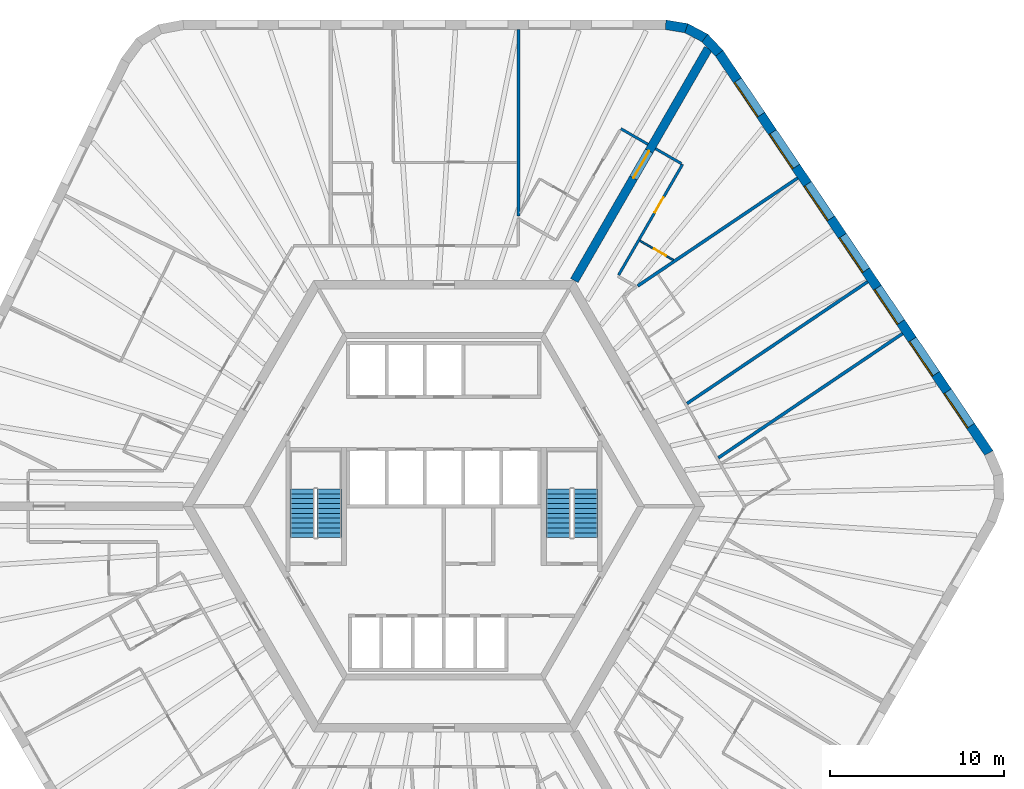
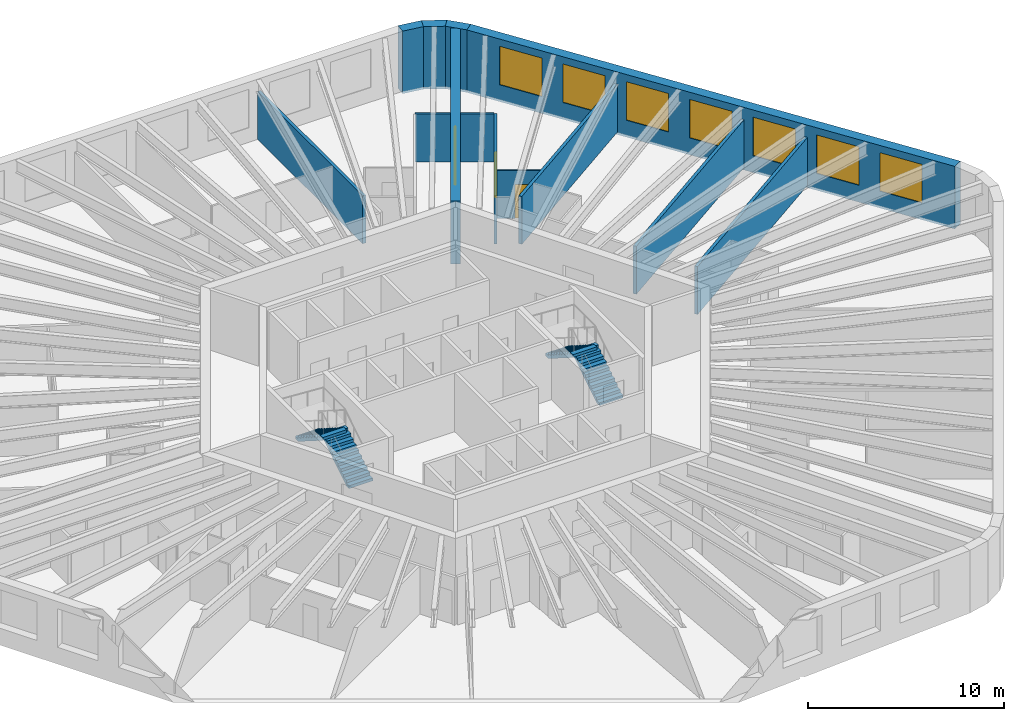
# One storey, part 9 of 10: 13 walls, 7 windows, 4 stair flights, 3 doors, 10 openings, 2 elements without a shape of their own.
"""IFC4 building model written with IfcOpenShell, lengths in metres."""

from ifc_helpers import new_model, si_unit, direction, frame, frame_2d, origin, place, context, subcontext, project, spatial, polyline, rectangle, outline, extrude, material, layer, layer_set, type_object, element, fill, aggregate, save


model = new_model("IFC4")

# Units and contexts
model_context = context("Model", 3, precision=1e-05, world=origin(), true_north=direction((0.0, 1.0)))
body_context = subcontext(model_context, "Body", "Model", "MODEL_VIEW")
ifc_project = project(units=[si_unit("LENGTHUNIT", "METRE"), si_unit("AREAUNIT", "SQUARE_METRE"), si_unit("VOLUMEUNIT", "CUBIC_METRE"), si_unit("PLANEANGLEUNIT", "RADIAN"), si_unit("MASSUNIT", "GRAM", prefix="KILO")], contexts=[model_context])

# Site, building, storey
site_placement = place(None, origin())
site = spatial("IfcSite", under=ifc_project, at=site_placement, CompositionType="ELEMENT")
building_placement = place(site_placement, origin())
building = spatial("IfcBuilding", under=site, at=building_placement, Name="Tarnside Tower", CompositionType="ELEMENT")
storey_placement = place(building_placement, frame((0.0, 0.0, 199.5)))
storey = spatial("IfcBuildingStorey", under=building, at=storey_placement, Name="L47", CompositionType="ELEMENT", Elevation=199.5)

# Wall, opening, door
ifc_material_1 = material(Name="Gypsum board partition on steel studs", Category="steel")
ifc_layer_1 = layer(ifc_material_1, 0.10009765625)
ifc_layer_set_1 = layer_set([ifc_layer_1], Name="Bathroom wall 100")
wall_type_1 = type_object("IfcWallType", Name="Bathroom wall 100", PredefinedType="PARTITIONING", material=ifc_layer_set_1)
wall_1_placement = place(storey_placement, frame((11.28369140625, 15.294189453125, 0.0), z_axis=(0.0, 0.0, 1.0), x_axis=(0.866017295027, -0.500014044516, 0.0)))
wall_1 = element("IfcWall", 1, at=wall_1_placement, inside=storey, type_object=wall_type_1, Name="Bathroom wall 15113", PredefinedType="PARTITIONING", context=body_context, shape_type="SweptSolid", body=[
    extrude(rectangle(XDim=2.22265625, YDim=0.10009765625, at=frame_2d((1.111328125, 0.0))), origin(), (0.0, 0.0, 1.0), 2.98779296875),
])
opening_1_placement = place(wall_1_placement, frame((0.925048828125, 0.0, 0.0)))
opening_1 = element("IfcOpeningElement", 2, at=opening_1_placement, cuts=wall_1, Name="Opening D-B1", PredefinedType="OPENING", context=body_context, shape_type="SweptSolid", body=[
    extrude(rectangle(XDim=0.800048828125, YDim=2.10009765625, at=frame_2d((0.39990234375, 1.050048828125))), frame((0.0, 0.06005859375, 0.0), z_axis=(0.0, -1.0, 0.0), x_axis=(1.0, 0.0, 0.0)), (0.0, 0.0, 1.0), 0.1201171875),
])
ifc_material_2 = material(Name="Timber door leaf", Category="wood")
door_type_1 = type_object("IfcDoorType", Name="Bathroom door 800", OperationType="NOTDEFINED", PredefinedType="DOOR", material=ifc_material_2)
door_1_placement = place(opening_1_placement, origin())
door_1 = element("IfcDoor", 3, at=door_1_placement, inside=storey, type_object=door_type_1, Name="Bathroom door 15036", OperationType="SINGLE_SWING_LEFT", OverallHeight=2.10009765625, OverallWidth=0.800048828125, PredefinedType="DOOR", context=body_context, shape_type="SweptSolid", body=[
    extrude(rectangle(XDim=0.800048828125, YDim=2.10009765625, at=frame_2d((0.39990234375, 1.050048828125))), frame((0.0, 0.02490234375, 0.0), z_axis=(0.0, -1.0, 0.0), x_axis=(1.0, 0.0, 0.0)), (0.0, 0.0, 1.0), 0.050048828125),
])
fill(opening_1, door_1)

ifc_material_3 = material(Name="Concrete C70/85", Category="concrete")
ifc_layer_2 = layer(ifc_material_3, 0.5)
ifc_layer_set_2 = layer_set([ifc_layer_2], Name="Core wall Z2 500 C70/85")
wall_type_2 = type_object("IfcWallType", Name="Core wall Z2 500 C70/85", PredefinedType="SHEAR", material=ifc_layer_set_2)
wall_2_placement = place(storey_placement, frame((7.505615234375, 13.0, -0.14990234375), z_axis=(0.0, 0.0, 1.0), x_axis=(0.499988271576, 0.866032175087, 0.0)))
wall_2 = element("IfcWall", 4, at=wall_2_placement, inside=storey, type_object=wall_type_2, Name="L47 spine wall 1", PredefinedType="SHEAR", context=body_context, shape_type="SweptSolid", body=[
    extrude(rectangle(XDim=15.423583984375, YDim=0.5, at=frame_2d((7.7119140625, 0.0))), origin(), (0.0, 0.0, 1.0), 3.89990234375),
])
opening_2_placement = place(wall_2_placement, frame((6.811767578125, 0.0, 0.14990234375)))
opening_2 = element("IfcOpeningElement", 5, at=opening_2_placement, cuts=wall_2, Name="Opening CD-SPN", PredefinedType="OPENING", context=body_context, shape_type="SweptSolid", body=[
    extrude(rectangle(XDim=1.800048828125, YDim=2.39990234375, at=frame_2d((0.89990234375, 1.199951171875))), frame((0.0, 0.260009765625, 0.0), z_axis=(0.0, -1.0, 0.0), x_axis=(1.0, 0.0, 0.0)), (0.0, 0.0, 1.0), 0.52001953125),
])
ifc_material_4 = material(Name="Steel fire door", Category="steel")
door_type_2 = type_object("IfcDoorType", Name="Spine passage double door FD60 1800x2400", OperationType="NOTDEFINED", PredefinedType="DOOR", material=ifc_material_4)
door_2_placement = place(opening_2_placement, origin())
door_2 = element("IfcDoor", 6, at=door_2_placement, inside=storey, type_object=door_type_2, Name="L47 spine passage door 1", OperationType="DOUBLE_DOOR_SINGLE_SWING", OverallHeight=2.39990234375, OverallWidth=1.800048828125, PredefinedType="DOOR", context=body_context, shape_type="SweptSolid", body=[
    extrude(rectangle(XDim=1.800048828125, YDim=2.39990234375, at=frame_2d((0.89990234375, 1.199951171875))), frame((0.0, 0.02490234375, 0.0), z_axis=(0.0, -1.0, 0.0), x_axis=(1.0, 0.0, 0.0)), (0.0, 0.0, 1.0), 0.050048828125),
])
fill(opening_2, door_2)

# Wall
ifc_layer_3 = layer(ifc_material_1, 0.14990234375)
ifc_layer_set_3 = layer_set([ifc_layer_3], Name="Corridor wall 150 EI 60")
wall_type_3 = type_object("IfcWallType", Name="Corridor wall 150 EI 60", PredefinedType="PARTITIONING", material=ifc_layer_set_3)
wall_3_placement = place(storey_placement, frame((11.744873046875, 20.8427734375, 0.0), z_axis=(0.0, 0.0, 1.0), x_axis=(-0.865989075817, 0.500062916607, 0.0)))
element("IfcWall", 7, at=wall_3_placement, inside=storey, type_object=wall_type_3, Name="Corridor wall 15001", PredefinedType="PARTITIONING", context=body_context, shape_type="SweptSolid", body=[
    extrude(rectangle(XDim=1.800048828125, YDim=0.14990234375, at=frame_2d((0.89990234375, 0.0))), origin(), (0.0, 0.0, 1.0), 2.98779296875),
])

# Wall, opening, door
wall_4_placement = place(storey_placement, frame((10.056396484375, 13.318115234375, 0.0), z_axis=(0.0, 0.0, 1.0), x_axis=(0.499995202058, 0.86602817386, 0.0)))
wall_4 = element("IfcWall", 8, at=wall_4_placement, inside=storey, type_object=wall_type_3, Name="Corridor wall 15046", PredefinedType="PARTITIONING", context=body_context, shape_type="SweptSolid", body=[
    extrude(rectangle(XDim=7.36083984375, YDim=0.14990234375, at=frame_2d((3.680419921875, 0.0))), origin(), (0.0, 0.0, 1.0), 2.98779296875),
])
opening_3_placement = place(wall_4_placement, frame((4.16796875, 0.0, 0.0)))
opening_3 = element("IfcOpeningElement", 9, at=opening_3_placement, cuts=wall_4, Name="Opening D-E1", PredefinedType="OPENING", context=body_context, shape_type="SweptSolid", body=[
    extrude(rectangle(XDim=1.0, YDim=2.10009765625, at=frame_2d((0.5, 1.050048828125))), frame((0.0, 0.0849609375, 0.0), z_axis=(0.0, -1.0, 0.0), x_axis=(1.0, 0.0, 0.0)), (0.0, 0.0, 1.0), 0.169921875),
])
door_type_3 = type_object("IfcDoorType", Name="Unit entrance door 1000 FD30S", OperationType="NOTDEFINED", PredefinedType="DOOR", material=ifc_material_2)
door_3_placement = place(opening_3_placement, origin())
door_3 = element("IfcDoor", 10, at=door_3_placement, inside=storey, type_object=door_type_3, Name="Unit door 15035", OperationType="SINGLE_SWING_RIGHT", OverallHeight=2.10009765625, OverallWidth=1.0, PredefinedType="DOOR", context=body_context, shape_type="SweptSolid", body=[
    extrude(rectangle(XDim=1.0, YDim=2.10009765625, at=frame_2d((0.5, 1.050048828125))), frame((0.0, 0.02490234375, 0.0), z_axis=(0.0, -1.0, 0.0), x_axis=(1.0, 0.0, 0.0)), (0.0, 0.0, 1.0), 0.050048828125),
])
fill(opening_3, door_3)

# Walls
wall_5_placement = place(storey_placement, frame((13.671875, 19.73046875, 0.0), z_axis=(0.0, 0.0, 1.0), x_axis=(-0.866074815912, 0.499914405916, 0.0)))
element("IfcWall", 11, at=wall_5_placement, inside=storey, type_object=wall_type_3, Name="Corridor wall 15047", PredefinedType="PARTITIONING", context=body_context, shape_type="SweptSolid", body=[
    extrude(rectangle(XDim=1.724853515625, YDim=0.14990234375, at=frame_2d((0.8623046875, 0.0))), origin(), (0.0, 0.0, 1.0), 2.98779296875),
])
ifc_layer_4 = layer(ifc_material_1, 0.179931640625)
ifc_layer_set_4 = layer_set([ifc_layer_4], Name="Demising wall 180 EI 60")
wall_type_4 = type_object("IfcWallType", Name="Demising wall 180 EI 60", PredefinedType="PARTITIONING", material=ifc_layer_set_4)
wall_6_placement = place(storey_placement, frame((4.2822265625, 27.449951171875, 0.0), z_axis=(0.0, 0.0, 1.0), x_axis=(0.0, -1.0, 0.0)))
element("IfcWall", 12, at=wall_6_placement, inside=storey, type_object=wall_type_4, Name="Demising wall 15052", PredefinedType="PARTITIONING", context=body_context, shape_type="SweptSolid", body=[
    extrude(rectangle(XDim=10.735107421875, YDim=0.179931640625, at=frame_2d((5.36767578125, 0.0))), origin(), (0.0, 0.0, 1.0), 2.98779296875),
])
wall_7_placement = place(storey_placement, frame((26.40185546875, 9.9462890625, 0.0), z_axis=(0.0, 0.0, 1.0), x_axis=(-0.829037771727, -0.559192608187, 0.0)))
element("IfcWall", 13, at=wall_7_placement, inside=storey, type_object=wall_type_4, Name="Demising wall 15106", PredefinedType="PARTITIONING", context=body_context, shape_type="SweptSolid", body=[
    extrude(rectangle(XDim=12.7939453125, YDim=0.179931640625, at=frame_2d((6.39697265625, 0.0))), origin(), (0.0, 0.0, 1.0), 2.98779296875),
])
wall_8_placement = place(storey_placement, frame((24.388671875, 12.9306640625, 0.0), z_axis=(0.0, 0.0, 1.0), x_axis=(-0.829040439793, -0.559188652593, 0.0)))
element("IfcWall", 14, at=wall_8_placement, inside=storey, type_object=wall_type_4, Name="Demising wall 15107", PredefinedType="PARTITIONING", context=body_context, shape_type="SweptSolid", body=[
    extrude(rectangle(XDim=12.542236328125, YDim=0.179931640625, at=frame_2d((6.27099609375, 0.0))), origin(), (0.0, 0.0, 1.0), 2.98779296875),
])
wall_9_placement = place(storey_placement, frame((20.362548828125, 18.89990234375, 0.0), z_axis=(0.0, 0.0, 1.0), x_axis=(-0.82903304346, -0.559199618072, 0.0)))
element("IfcWall", 15, at=wall_9_placement, inside=storey, type_object=wall_type_4, Name="Demising wall 15110", PredefinedType="PARTITIONING", context=body_context, shape_type="SweptSolid", body=[
    extrude(rectangle(XDim=11.111572265625, YDim=0.179931640625, at=frame_2d((5.5556640625, 0.0))), origin(), (0.0, 0.0, 1.0), 2.98779296875),
])

# Wall, openings, windows
ifc_material_5 = material(Name="Facing brick", Category="masonry")
ifc_layer_5 = layer(ifc_material_5, 0.10205078125)
ifc_material_6 = material(Name="Concrete C60/75 precast", Category="concrete")
ifc_layer_6 = layer(ifc_material_6, 0.347900390625)
ifc_material_7 = material(Name="Mineral wool insulation")
ifc_layer_7 = layer(ifc_material_7, 0.10009765625)
ifc_layer_set_5 = layer_set([ifc_layer_5, ifc_layer_6, ifc_layer_7], Name="Tube wall 550 brick faced")
wall_type_5 = type_object("IfcWallType", Name="Tube wall 550 brick faced", PredefinedType="SOLIDWALL", material=ifc_layer_set_5)
wall_10_placement = place(storey_placement, frame((31.37109375, 3.070556640625, -0.14990234375), z_axis=(0.0, 0.0, 1.0), x_axis=(-0.559189891278, 0.829039604297, 0.0)))
wall_10 = element("IfcWall", 16, at=wall_10_placement, inside=storey, type_object=wall_type_5, Name="Tube wall L47 F6 flush 20", PredefinedType="SOLIDWALL", context=body_context, shape_type="SweptSolid", body=[
    extrude(outline(polyline([(-0.025634765625, -0.27490234375), (27.780517578125, -0.27490234375), (27.735595703125, 0.27490234375), (0.025634765625, 0.27490234375), (-0.025634765625, -0.27490234375)])), origin(), (0.0, 0.0, 1.0), 3.89990234375),
])
opening_4_placement = place(wall_10_placement, frame((1.87890625, 0.0, 1.050048828125)))
opening_4 = element("IfcOpeningElement", 17, at=opening_4_placement, cuts=wall_10, Name="Opening WH", PredefinedType="OPENING", context=body_context, shape_type="SweptSolid", body=[
    extrude(rectangle(XDim=2.39990234375, YDim=2.39990234375, at=frame_2d((1.199951171875, 1.199951171875))), frame((0.0, 0.28515625, 0.0), z_axis=(0.0, -1.0, 0.0), x_axis=(1.0, 0.0, 0.0)), (0.0, 0.0, 1.0), 0.570068359375),
])
opening_5_placement = place(wall_10_placement, frame((5.47900390625, 0.0, 1.050048828125)))
opening_5 = element("IfcOpeningElement", 18, at=opening_5_placement, cuts=wall_10, Name="Opening WH", PredefinedType="OPENING", context=body_context, shape_type="SweptSolid", body=[
    extrude(rectangle(XDim=2.39990234375, YDim=2.39990234375, at=frame_2d((1.199951171875, 1.199951171875))), frame((0.0, 0.28515625, 0.0), z_axis=(0.0, -1.0, 0.0), x_axis=(1.0, 0.0, 0.0)), (0.0, 0.0, 1.0), 0.570068359375),
])
opening_6_placement = place(wall_10_placement, frame((9.078857421875, 0.0, 1.050048828125)))
opening_6 = element("IfcOpeningElement", 19, at=opening_6_placement, cuts=wall_10, Name="Opening WH", PredefinedType="OPENING", context=body_context, shape_type="SweptSolid", body=[
    extrude(rectangle(XDim=2.39990234375, YDim=2.39990234375, at=frame_2d((1.199951171875, 1.199951171875))), frame((0.0, 0.28515625, 0.0), z_axis=(0.0, -1.0, 0.0), x_axis=(1.0, 0.0, 0.0)), (0.0, 0.0, 1.0), 0.570068359375),
])
opening_7_placement = place(wall_10_placement, frame((12.678955078125, 0.0, 1.050048828125)))
opening_7 = element("IfcOpeningElement", 20, at=opening_7_placement, cuts=wall_10, Name="Opening WH", PredefinedType="OPENING", context=body_context, shape_type="SweptSolid", body=[
    extrude(rectangle(XDim=2.39990234375, YDim=2.39990234375, at=frame_2d((1.199951171875, 1.199951171875))), frame((0.0, 0.28515625, 0.0), z_axis=(0.0, -1.0, 0.0), x_axis=(1.0, 0.0, 0.0)), (0.0, 0.0, 1.0), 0.570068359375),
])
opening_8_placement = place(wall_10_placement, frame((16.27880859375, 0.0, 1.050048828125)))
opening_8 = element("IfcOpeningElement", 21, at=opening_8_placement, cuts=wall_10, Name="Opening WH", PredefinedType="OPENING", context=body_context, shape_type="SweptSolid", body=[
    extrude(rectangle(XDim=2.39990234375, YDim=2.39990234375, at=frame_2d((1.199951171875, 1.199951171875))), frame((0.0, 0.28515625, 0.0), z_axis=(0.0, -1.0, 0.0), x_axis=(1.0, 0.0, 0.0)), (0.0, 0.0, 1.0), 0.570068359375),
])
opening_9_placement = place(wall_10_placement, frame((19.87890625, 0.0, 1.050048828125)))
opening_9 = element("IfcOpeningElement", 22, at=opening_9_placement, cuts=wall_10, Name="Opening WH", PredefinedType="OPENING", context=body_context, shape_type="SweptSolid", body=[
    extrude(rectangle(XDim=2.39990234375, YDim=2.39990234375, at=frame_2d((1.199951171875, 1.199951171875))), frame((0.0, 0.28515625, 0.0), z_axis=(0.0, -1.0, 0.0), x_axis=(1.0, 0.0, 0.0)), (0.0, 0.0, 1.0), 0.570068359375),
])
opening_10_placement = place(wall_10_placement, frame((23.47900390625, 0.0, 1.050048828125)))
opening_10 = element("IfcOpeningElement", 23, at=opening_10_placement, cuts=wall_10, Name="Opening WH", PredefinedType="OPENING", context=body_context, shape_type="SweptSolid", body=[
    extrude(rectangle(XDim=2.39990234375, YDim=2.39990234375, at=frame_2d((1.199951171875, 1.199951171875))), frame((0.0, 0.28515625, 0.0), z_axis=(0.0, -1.0, 0.0), x_axis=(1.0, 0.0, 0.0)), (0.0, 0.0, 1.0), 0.570068359375),
])
ifc_material_8 = material(Name="Aluminium-framed double glazing", Category="aluminium")
window_type = type_object("IfcWindowType", Name="Hotel window 2400 x 2400", PartitioningType="DOUBLE_PANEL_VERTICAL", PredefinedType="WINDOW", material=ifc_material_8)
window_1_placement = place(opening_4_placement, frame((0.0, 0.205078125, 0.0)))
window_1 = element("IfcWindow", 24, at=window_1_placement, inside=storey, type_object=window_type, Name="E.WN.L47.F6.00", OverallHeight=2.39990234375, OverallWidth=2.39990234375, PartitioningType="DOUBLE_PANEL_VERTICAL", PredefinedType="WINDOW", context=body_context, shape_type="SweptSolid", body=[
    extrude(rectangle(XDim=2.39990234375, YDim=2.39990234375, at=frame_2d((1.199951171875, 1.199951171875))), frame((0.0, 0.030029296875, 0.0), z_axis=(0.0, -1.0, 0.0), x_axis=(1.0, 0.0, 0.0)), (0.0, 0.0, 1.0), 0.06005859375),
])
fill(opening_4, window_1)
window_2_placement = place(opening_5_placement, frame((0.0, 0.205078125, 0.0)))
window_2 = element("IfcWindow", 25, at=window_2_placement, inside=storey, type_object=window_type, Name="E.WN.L47.F6.01", OverallHeight=2.39990234375, OverallWidth=2.39990234375, PartitioningType="DOUBLE_PANEL_VERTICAL", PredefinedType="WINDOW", context=body_context, shape_type="SweptSolid", body=[
    extrude(rectangle(XDim=2.39990234375, YDim=2.39990234375, at=frame_2d((1.199951171875, 1.199951171875))), frame((0.0, 0.030029296875, 0.0), z_axis=(0.0, -1.0, 0.0), x_axis=(1.0, 0.0, 0.0)), (0.0, 0.0, 1.0), 0.06005859375),
])
fill(opening_5, window_2)
window_3_placement = place(opening_6_placement, frame((0.0, 0.205078125, 0.0)))
window_3 = element("IfcWindow", 26, at=window_3_placement, inside=storey, type_object=window_type, Name="E.WN.L47.F6.02", OverallHeight=2.39990234375, OverallWidth=2.39990234375, PartitioningType="DOUBLE_PANEL_VERTICAL", PredefinedType="WINDOW", context=body_context, shape_type="SweptSolid", body=[
    extrude(rectangle(XDim=2.39990234375, YDim=2.39990234375, at=frame_2d((1.199951171875, 1.199951171875))), frame((0.0, 0.030029296875, 0.0), z_axis=(0.0, -1.0, 0.0), x_axis=(1.0, 0.0, 0.0)), (0.0, 0.0, 1.0), 0.06005859375),
])
fill(opening_6, window_3)
window_4_placement = place(opening_7_placement, frame((0.0, 0.205078125, 0.0)))
window_4 = element("IfcWindow", 27, at=window_4_placement, inside=storey, type_object=window_type, Name="E.WN.L47.F6.03", OverallHeight=2.39990234375, OverallWidth=2.39990234375, PartitioningType="DOUBLE_PANEL_VERTICAL", PredefinedType="WINDOW", context=body_context, shape_type="SweptSolid", body=[
    extrude(rectangle(XDim=2.39990234375, YDim=2.39990234375, at=frame_2d((1.199951171875, 1.199951171875))), frame((0.0, 0.030029296875, 0.0), z_axis=(0.0, -1.0, 0.0), x_axis=(1.0, 0.0, 0.0)), (0.0, 0.0, 1.0), 0.06005859375),
])
fill(opening_7, window_4)
window_5_placement = place(opening_8_placement, frame((0.0, 0.205078125, 0.0)))
window_5 = element("IfcWindow", 28, at=window_5_placement, inside=storey, type_object=window_type, Name="E.WN.L47.F6.04", OverallHeight=2.39990234375, OverallWidth=2.39990234375, PartitioningType="DOUBLE_PANEL_VERTICAL", PredefinedType="WINDOW", context=body_context, shape_type="SweptSolid", body=[
    extrude(rectangle(XDim=2.39990234375, YDim=2.39990234375, at=frame_2d((1.199951171875, 1.199951171875))), frame((0.0, 0.030029296875, 0.0), z_axis=(0.0, -1.0, 0.0), x_axis=(1.0, 0.0, 0.0)), (0.0, 0.0, 1.0), 0.06005859375),
])
fill(opening_8, window_5)
window_6_placement = place(opening_9_placement, frame((0.0, 0.205078125, 0.0)))
window_6 = element("IfcWindow", 29, at=window_6_placement, inside=storey, type_object=window_type, Name="E.WN.L47.F6.05", OverallHeight=2.39990234375, OverallWidth=2.39990234375, PartitioningType="DOUBLE_PANEL_VERTICAL", PredefinedType="WINDOW", context=body_context, shape_type="SweptSolid", body=[
    extrude(rectangle(XDim=2.39990234375, YDim=2.39990234375, at=frame_2d((1.199951171875, 1.199951171875))), frame((0.0, 0.030029296875, 0.0), z_axis=(0.0, -1.0, 0.0), x_axis=(1.0, 0.0, 0.0)), (0.0, 0.0, 1.0), 0.06005859375),
])
fill(opening_9, window_6)
window_7_placement = place(opening_10_placement, frame((0.0, 0.205078125, 0.0)))
window_7 = element("IfcWindow", 30, at=window_7_placement, inside=storey, type_object=window_type, Name="E.WN.L47.F6.06", OverallHeight=2.39990234375, OverallWidth=2.39990234375, PartitioningType="DOUBLE_PANEL_VERTICAL", PredefinedType="WINDOW", context=body_context, shape_type="SweptSolid", body=[
    extrude(rectangle(XDim=2.39990234375, YDim=2.39990234375, at=frame_2d((1.199951171875, 1.199951171875))), frame((0.0, 0.030029296875, 0.0), z_axis=(0.0, -1.0, 0.0), x_axis=(1.0, 0.0, 0.0)), (0.0, 0.0, 1.0), 0.06005859375),
])
fill(opening_10, window_7)

# Walls
wall_11_placement = place(storey_placement, frame((15.84912109375, 26.0830078125, -0.14990234375), z_axis=(0.0, 0.0, 1.0), x_axis=(-0.686196220404, 0.727416488061, 0.0)))
element("IfcWall", 31, at=wall_11_placement, inside=storey, type_object=wall_type_5, Name="Tube wall L47 F6 chord 21", PredefinedType="SOLIDWALL", context=body_context, shape_type="SweptSolid", body=[
    extrude(outline(polyline([(-0.0224609375, -0.27490234375), (1.25341796875, -0.27490234375), (1.1630859375, 0.27490234375), (0.0224609375, 0.27490234375), (-0.0224609375, -0.27490234375)])), origin(), (0.0, 0.0, 1.0), 3.89990234375),
])
wall_12_placement = place(storey_placement, frame((15.02001953125, 26.9619140625, -0.14990234375), z_axis=(0.0, 0.0, 1.0), x_axis=(-0.882950818639, 0.469465495926, 0.0)))
element("IfcWall", 32, at=wall_12_placement, inside=storey, type_object=wall_type_5, Name="Tube wall L47 F6 chord 22", PredefinedType="SOLIDWALL", context=body_context, shape_type="SweptSolid", body=[
    extrude(outline(polyline([(-0.045166015625, -0.27490234375), (1.253173828125, -0.27490234375), (1.162841796875, 0.27490234375), (0.045166015625, 0.27490234375), (-0.045166015625, -0.27490234375)])), origin(), (0.0, 0.0, 1.0), 3.89990234375),
])
wall_13_placement = place(storey_placement, frame((13.953369140625, 27.529052734375, -0.14990234375), z_axis=(0.0, 0.0, 1.0), x_axis=(-0.986751945211, 0.162236243244, 0.0)))
element("IfcWall", 33, at=wall_13_placement, inside=storey, type_object=wall_type_5, Name="Tube wall L47 F6 chord 23", PredefinedType="SOLIDWALL", context=body_context, shape_type="SweptSolid", body=[
    extrude(outline(polyline([(-0.045166015625, -0.27490234375), (1.23095703125, -0.27490234375), (1.18603515625, 0.27490234375), (0.045166015625, 0.27490234375), (-0.045166015625, -0.27490234375)])), origin(), (0.0, 0.0, 1.0), 3.89990234375),
])

# Stair, stair flights
ifc_material_9 = material(Name="Concrete C40/50", Category="concrete")
stair_type = type_object("IfcStairType", Name="Exit stair 1400 clear", PredefinedType="HALF_TURN_STAIR", material=ifc_material_9)
stair_1_placement = place(storey_placement, origin())
stair_1 = element("IfcStair", 34, at=stair_1_placement, inside=storey, type_object=stair_type, Name="L47 Exit stair 1", PredefinedType="HALF_TURN_STAIR")
stair_flight_type = type_object("IfcStairFlightType", Name="Exit stair flight 1400", PredefinedType="STRAIGHT", material=ifc_material_9)
stair_flight_1_placement = place(storey_placement, frame((8.14990234375, -1.800048828125, 0.0), z_axis=(0.0, 0.0, 1.0), x_axis=(0.0, 1.0, 0.0)))
stair_flight_1 = element("IfcStairFlight", 35, at=stair_flight_1_placement, type_object=stair_flight_type, Name="ST1 flight 1", NumberOfRisers=11, NumberOfTreads=10, PredefinedType="STRAIGHT", RiserHeight=0.177272727, TreadLength=0.28, context=body_context, shape_type="SweptSolid", body=[
    extrude(outline(polyline([(0.0, 0.0), (0.0, 0.17724609375), (0.280029296875, 0.17724609375), (0.280029296875, 0.3544921875), (0.56005859375, 0.3544921875), (0.56005859375, 0.53173828125), (0.840087890625, 0.53173828125), (0.840087890625, 0.708984375), (1.1201171875, 0.708984375), (1.1201171875, 0.886474609375), (1.39990234375, 0.886474609375), (1.39990234375, 1.063720703125), (1.679931640625, 1.063720703125), (1.679931640625, 1.240966796875), (1.9599609375, 1.240966796875), (1.9599609375, 1.418212890625), (2.239990234375, 1.418212890625), (2.239990234375, 1.595458984375), (2.52001953125, 1.595458984375), (2.52001953125, 1.772705078125), (2.800048828125, 1.772705078125), (2.800048828125, 1.949951171875), (2.800048828125, 1.59521484375), (0.2802734375, 0.0), (0.0, 0.0)])), frame((0.0, 0.699951171875, 0.0), z_axis=(0.0, -1.0, 0.0), x_axis=(1.0, 0.0, 0.0)), (0.0, 0.0, 1.0), 1.39990234375),
])
stair_flight_2_placement = place(storey_placement, frame((6.60009765625, 1.0, 1.949951171875), z_axis=(0.0, 0.0, 1.0), x_axis=(0.0, -1.0, 0.0)))
stair_flight_2 = element("IfcStairFlight", 36, at=stair_flight_2_placement, type_object=stair_flight_type, Name="ST1 flight 2", NumberOfRisers=11, NumberOfTreads=10, PredefinedType="STRAIGHT", RiserHeight=0.177272727, TreadLength=0.28, context=body_context, shape_type="SweptSolid", body=[
    extrude(outline(polyline([(0.0, 0.0), (0.0, 0.17724609375), (0.280029296875, 0.17724609375), (0.280029296875, 0.3544921875), (0.56005859375, 0.3544921875), (0.56005859375, 0.53173828125), (0.840087890625, 0.53173828125), (0.840087890625, 0.708984375), (1.1201171875, 0.708984375), (1.1201171875, 0.886474609375), (1.39990234375, 0.886474609375), (1.39990234375, 1.063720703125), (1.679931640625, 1.063720703125), (1.679931640625, 1.240966796875), (1.9599609375, 1.240966796875), (1.9599609375, 1.418212890625), (2.239990234375, 1.418212890625), (2.239990234375, 1.595458984375), (2.52001953125, 1.595458984375), (2.52001953125, 1.772705078125), (2.800048828125, 1.772705078125), (2.800048828125, 1.949951171875), (2.800048828125, 1.59521484375), (0.2802734375, 0.0), (0.0, 0.0)])), frame((0.0, 0.699951171875, 0.0), z_axis=(0.0, -1.0, 0.0), x_axis=(1.0, 0.0, 0.0)), (0.0, 0.0, 1.0), 1.39990234375),
])
aggregate(stair_1, [stair_flight_1, stair_flight_2])

stair_2_placement = place(storey_placement, origin())
stair_2 = element("IfcStair", 37, at=stair_2_placement, inside=storey, type_object=stair_type, Name="L47 Exit stair 2", PredefinedType="HALF_TURN_STAIR")
stair_flight_3_placement = place(storey_placement, frame((-6.60009765625, -1.800048828125, 0.0), z_axis=(0.0, 0.0, 1.0), x_axis=(0.0, 1.0, 0.0)))
stair_flight_3 = element("IfcStairFlight", 38, at=stair_flight_3_placement, type_object=stair_flight_type, Name="ST2 flight 1", NumberOfRisers=11, NumberOfTreads=10, PredefinedType="STRAIGHT", RiserHeight=0.177272727, TreadLength=0.28, context=body_context, shape_type="SweptSolid", body=[
    extrude(outline(polyline([(0.0, 0.0), (0.0, 0.17724609375), (0.280029296875, 0.17724609375), (0.280029296875, 0.3544921875), (0.56005859375, 0.3544921875), (0.56005859375, 0.53173828125), (0.840087890625, 0.53173828125), (0.840087890625, 0.708984375), (1.1201171875, 0.708984375), (1.1201171875, 0.886474609375), (1.39990234375, 0.886474609375), (1.39990234375, 1.063720703125), (1.679931640625, 1.063720703125), (1.679931640625, 1.240966796875), (1.9599609375, 1.240966796875), (1.9599609375, 1.418212890625), (2.239990234375, 1.418212890625), (2.239990234375, 1.595458984375), (2.52001953125, 1.595458984375), (2.52001953125, 1.772705078125), (2.800048828125, 1.772705078125), (2.800048828125, 1.949951171875), (2.800048828125, 1.59521484375), (0.2802734375, 0.0), (0.0, 0.0)])), frame((0.0, 0.699951171875, 0.0), z_axis=(0.0, -1.0, 0.0), x_axis=(1.0, 0.0, 0.0)), (0.0, 0.0, 1.0), 1.39990234375),
])
stair_flight_4_placement = place(storey_placement, frame((-8.14990234375, 1.0, 1.949951171875), z_axis=(0.0, 0.0, 1.0), x_axis=(0.0, -1.0, 0.0)))
stair_flight_4 = element("IfcStairFlight", 39, at=stair_flight_4_placement, type_object=stair_flight_type, Name="ST2 flight 2", NumberOfRisers=11, NumberOfTreads=10, PredefinedType="STRAIGHT", RiserHeight=0.177272727, TreadLength=0.28, context=body_context, shape_type="SweptSolid", body=[
    extrude(outline(polyline([(0.0, 0.0), (0.0, 0.17724609375), (0.280029296875, 0.17724609375), (0.280029296875, 0.3544921875), (0.56005859375, 0.3544921875), (0.56005859375, 0.53173828125), (0.840087890625, 0.53173828125), (0.840087890625, 0.708984375), (1.1201171875, 0.708984375), (1.1201171875, 0.886474609375), (1.39990234375, 0.886474609375), (1.39990234375, 1.063720703125), (1.679931640625, 1.063720703125), (1.679931640625, 1.240966796875), (1.9599609375, 1.240966796875), (1.9599609375, 1.418212890625), (2.239990234375, 1.418212890625), (2.239990234375, 1.595458984375), (2.52001953125, 1.595458984375), (2.52001953125, 1.772705078125), (2.800048828125, 1.772705078125), (2.800048828125, 1.949951171875), (2.800048828125, 1.59521484375), (0.2802734375, 0.0), (0.0, 0.0)])), frame((0.0, 0.699951171875, 0.0), z_axis=(0.0, -1.0, 0.0), x_axis=(1.0, 0.0, 0.0)), (0.0, 0.0, 1.0), 1.39990234375),
])
aggregate(stair_2, [stair_flight_3, stair_flight_4])

save(model, "model.ifc")
